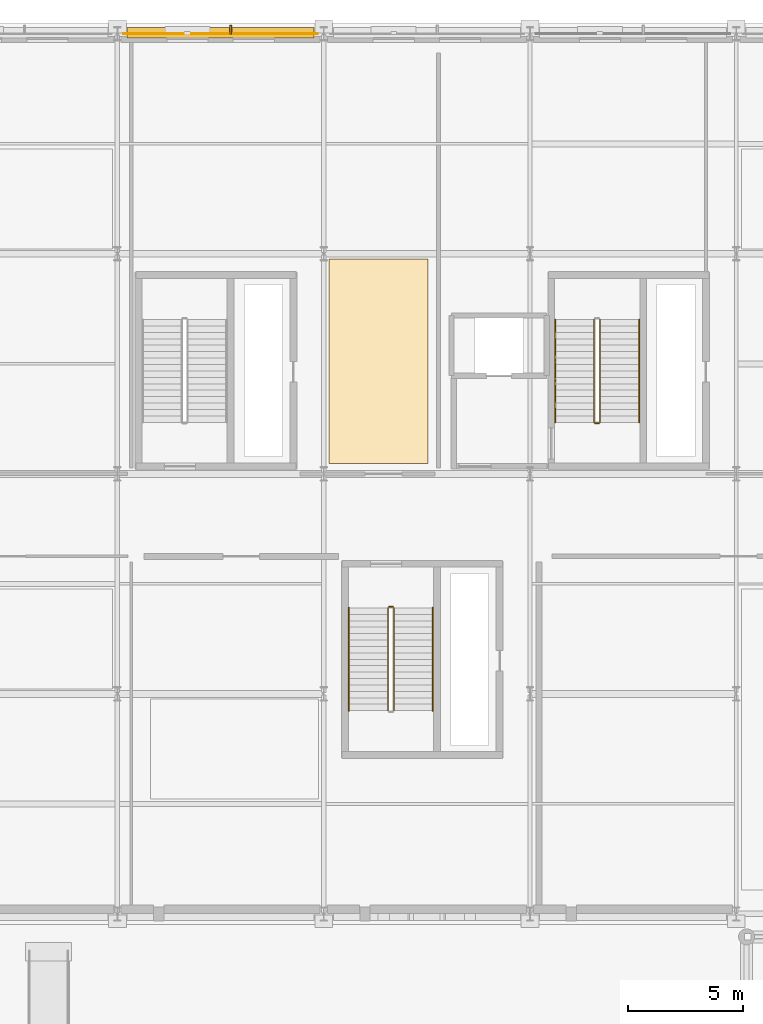
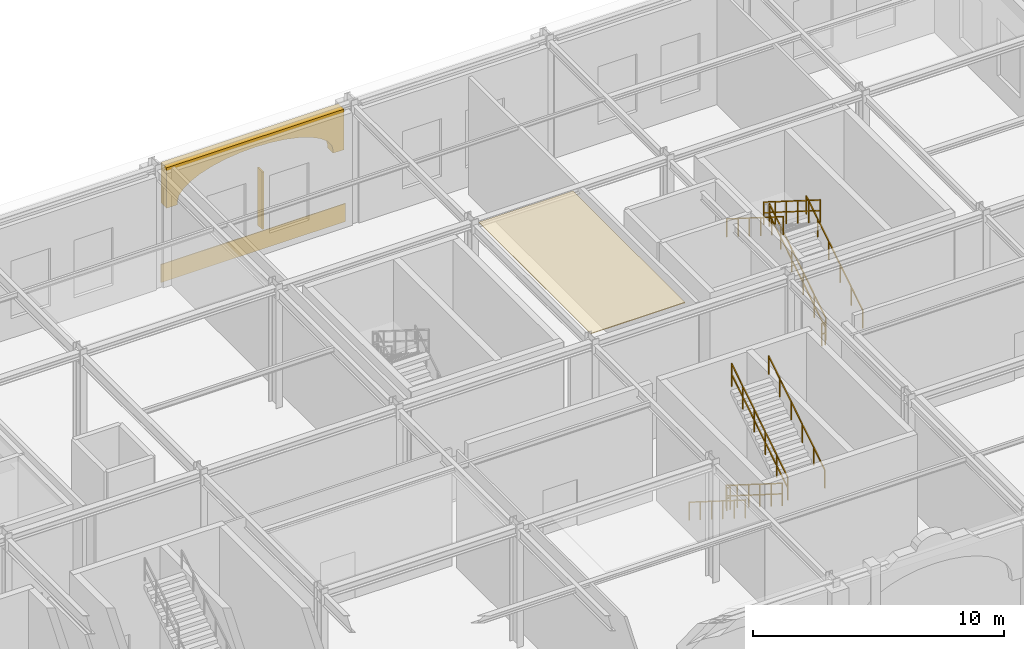
# One storey, part 111 of 113: 10 railings, 3 coverings, 1 shading device.
"""IFC4 building model written with IfcOpenShell, lengths in metres."""

from ifc_helpers import new_model, si_unit, direction, frame, origin, origin_2d, place, context, subcontext, project, spatial, polyline, rectangle, outline, extrude, material, layer, layer_set, type_object, element, save


model = new_model("IFC4")

# Units and contexts
model_context = context("Model", 3, precision=1e-05, world=origin(), true_north=direction((0.0, 1.0)))
body_context = subcontext(model_context, "Body", "Model", "MODEL_VIEW")
ifc_project = project(units=[si_unit("LENGTHUNIT", "METRE"), si_unit("AREAUNIT", "SQUARE_METRE"), si_unit("VOLUMEUNIT", "CUBIC_METRE"), si_unit("PLANEANGLEUNIT", "RADIAN"), si_unit("MASSUNIT", "GRAM", prefix="KILO")], contexts=[model_context])

# Site, building, storey
site_placement = place(None, origin())
site = spatial("IfcSite", under=ifc_project, at=site_placement, CompositionType="ELEMENT")
building_placement = place(site_placement, origin())
building = spatial("IfcBuilding", under=site, at=building_placement, Name="Myrtia Square Station", CompositionType="ELEMENT")
storey_placement = place(building_placement, origin())
storey = spatial("IfcBuildingStorey", under=building, at=storey_placement, Name="L00", CompositionType="ELEMENT", Elevation=0.0)

# Coverings
ifc_material_1 = material(Name="Pentelic marble ashlar", Category="masonry")
ifc_layer_1 = layer(ifc_material_1, 0.4599609375, Name="Pentelic marble ashlar")
ifc_layer_set_1 = layer_set([ifc_layer_1], Name="Pentelic marble ashlar")
covering_type_1 = type_object("IfcCoveringType", Name="COV-ARCH-ASHLAR", PredefinedType="CLADDING", material=ifc_layer_set_1)
covering_1_placement = place(storey_placement, frame((153.419921875, 124.85009765625, 3.64990234375), z_axis=(0.0, 0.0, 1.0), x_axis=(1.0, 0.0, 0.0)))
element("IfcCovering", 1, at=covering_1_placement, inside=storey, type_object=covering_type_1, Name="North boulevard facade arch spandrel 036", PredefinedType="CLADDING", context=body_context, shape_type="SweptSolid", body=[
    extrude(outline(polyline([(0.0, 0.0), (0.5, 0.0), (0.5, 0.150146484375), (0.56884765625, 0.42333984375), (0.7724609375, 0.685791015625), (1.103271484375, 0.927978515625), (1.548583984375, 1.14013671875), (2.091064453125, 1.314208984375), (2.7099609375, 1.443603515625), (3.381591796875, 1.523193359375), (4.080078125, 1.550048828125), (4.778564453125, 1.523193359375), (5.4501953125, 1.443603515625), (6.069091796875, 1.314208984375), (6.611572265625, 1.14013671875), (7.056884765625, 0.927978515625), (7.3876953125, 0.685791015625), (7.59130859375, 0.42333984375), (7.66015625, 0.150146484375), (7.66015625, 0.0), (8.16015625, 0.0), (8.16015625, 1.97021484375), (0.0, 1.97021484375), (0.0, 0.0)])), frame((0.0, 0.22998046875, 0.0), z_axis=(0.0, -1.0, 0.0), x_axis=(1.0, 0.0, 0.0)), (0.0, 0.0, 1.0), 0.4599609375),
])
ifc_material_2 = material(Name="Gypsum plasterboard")
ifc_layer_2 = layer(ifc_material_2, 0.034912109375, Name="Gypsum plasterboard")
ifc_layer_set_2 = layer_set([ifc_layer_2], Name="Gypsum plasterboard")
covering_type_2 = type_object("IfcCoveringType", Name="COV-CEIL-ACOUSTIC", PredefinedType="CEILING", material=ifc_layer_set_2)
covering_2_placement = place(storey_placement, frame((0.0, 0.0, 5.715087890625)))
element("IfcCovering", 2, at=covering_2_placement, inside=storey, type_object=covering_type_2, Name="Acoustic coffer ceiling L00-20", PredefinedType="CEILING", context=body_context, shape_type="SweptSolid", body=[
    extrude(outline(polyline([(166.550048828125, 106.050048828125), (162.219970703125, 106.050048828125), (162.219970703125, 114.97998046875), (166.550048828125, 114.97998046875), (166.550048828125, 106.050048828125)])), origin(), (0.0, 0.0, 1.0), 0.034912109375),
])
ifc_material_3 = material(Name="Polychrome glazed ceramic tile", Category="masonry")
ifc_layer_3 = layer(ifc_material_3, 0.034912109375, Name="Polychrome glazed ceramic tile")
ifc_layer_set_3 = layer_set([ifc_layer_3], Name="Polychrome glazed ceramic tile")
covering_type_3 = type_object("IfcCoveringType", Name="COV-CLAD-FAIENCE", PredefinedType="CLADDING", material=ifc_layer_set_3)
covering_3_placement = place(storey_placement, frame((157.5, 124.797607421875, 0.0), z_axis=(0.0, 0.0, 1.0), x_axis=(1.0, 0.0, 0.0)))
element("IfcCovering", 3, at=covering_3_placement, inside=storey, type_object=covering_type_3, Name="Spanish Colonial Revival dado cladding 022", PredefinedType="CLADDING", context=body_context, shape_type="SweptSolid", body=[
    extrude(rectangle(XDim=8.489990234375, YDim=0.034912109375, at=origin_2d()), origin(), (0.0, 0.0, 1.0), 0.8798828125),
])

# Railings
ifc_material_4 = material(Name="Dark bronze anodised aluminium", Category="aluminium")
railing_type_1 = type_object("IfcRailingType", Name="RL-HANDRAIL-900", PredefinedType="HANDRAIL", material=ifc_material_4)
railing_1_placement = place(storey_placement, frame((175.760009765625, 107.85009765625, 0.176513671875)))
element("IfcRailing", 4, at=railing_1_placement, inside=storey, type_object=railing_type_1, Name="L00 ST08 stair handrail 1", PredefinedType="HANDRAIL", context=body_context, shape_type="SweptSolid", body=[
    extrude(rectangle(XDim=0.048095703125, YDim=0.048095703125, at=origin_2d()), frame((0.0, 0.029296875, 0.894287109375), z_axis=(0.0, 0.845997938375, 0.533186166611), x_axis=(-1.0, 0.0, 0.0)), (0.0, 0.0, 1.0), 0.98974609375),
    extrude(rectangle(XDim=0.048095703125, YDim=0.048095703125, at=origin_2d()), frame((0.0, 0.92529296875, 1.458984375), z_axis=(0.0, 0.845997938375, 0.533186166611), x_axis=(-1.0, 0.0, 0.0)), (0.0, 0.0, 1.0), 0.98974609375),
    extrude(rectangle(XDim=0.048095703125, YDim=0.048095703125, at=origin_2d()), frame((0.0, 1.8212890625, 2.023681640625), z_axis=(0.0, 0.845997938375, 0.533186166611), x_axis=(-1.0, 0.0, 0.0)), (0.0, 0.0, 1.0), 0.98974609375),
    extrude(rectangle(XDim=0.048095703125, YDim=0.048095703125, at=origin_2d()), frame((0.0, 2.71728515625, 2.58837890625), z_axis=(0.0, 0.845997938375, 0.533186166611), x_axis=(-1.0, 0.0, 0.0)), (0.0, 0.0, 1.0), 0.98974609375),
    extrude(rectangle(XDim=0.048095703125, YDim=0.048095703125, at=origin_2d()), frame((0.0, 3.61328125, 3.153076171875), z_axis=(0.0, 0.845997938375, 0.533186166611), x_axis=(-1.0, 0.0, 0.0)), (0.0, 0.0, 1.0), 0.98974609375),
    extrude(rectangle(XDim=0.0439453125, YDim=0.0439453125, at=origin_2d()), origin(), (0.0, 0.0, 1.0), 0.89990234375),
    extrude(rectangle(XDim=0.0439453125, YDim=0.0439453125, at=origin_2d()), frame((0.0, 0.89599609375, 0.564697265625)), (0.0, 0.0, 1.0), 0.89990234375),
    extrude(rectangle(XDim=0.0439453125, YDim=0.0439453125, at=origin_2d()), frame((0.0, 1.7919921875, 1.12939453125)), (0.0, 0.0, 1.0), 0.89990234375),
    extrude(rectangle(XDim=0.0439453125, YDim=0.0439453125, at=origin_2d()), frame((0.0, 2.68798828125, 1.694091796875)), (0.0, 0.0, 1.0), 0.89990234375),
    extrude(rectangle(XDim=0.0439453125, YDim=0.0439453125, at=origin_2d()), frame((0.0, 3.583984375, 2.2587890625)), (0.0, 0.0, 1.0), 0.89990234375),
    extrude(rectangle(XDim=0.0439453125, YDim=0.0439453125, at=origin_2d()), frame((0.0, 4.47998046875, 2.823486328125)), (0.0, 0.0, 1.0), 0.89990234375),
])
railing_2_placement = place(storey_placement, frame((172.10009765625, 112.330078125, 3.176513671875)))
element("IfcRailing", 5, at=railing_2_placement, inside=storey, type_object=railing_type_1, Name="L00 ST08 stair handrail 2", PredefinedType="HANDRAIL", context=body_context, shape_type="SweptSolid", body=[
    extrude(rectangle(XDim=0.048095703125, YDim=0.048095703125, at=origin_2d()), frame((0.0, -0.029296875, 0.894287109375), z_axis=(0.0, -0.845997938375, 0.533186166611), x_axis=(1.0, 0.0, 0.0)), (0.0, 0.0, 1.0), 0.98974609375),
    extrude(rectangle(XDim=0.048095703125, YDim=0.048095703125, at=origin_2d()), frame((0.0, -0.92529296875, 1.458984375), z_axis=(0.0, -0.845997938375, 0.533186166611), x_axis=(1.0, 0.0, 0.0)), (0.0, 0.0, 1.0), 0.98974609375),
    extrude(rectangle(XDim=0.048095703125, YDim=0.048095703125, at=origin_2d()), frame((0.0, -1.8212890625, 2.023681640625), z_axis=(0.0, -0.845997938375, 0.533186166611), x_axis=(1.0, 0.0, 0.0)), (0.0, 0.0, 1.0), 0.98974609375),
    extrude(rectangle(XDim=0.048095703125, YDim=0.048095703125, at=origin_2d()), frame((0.0, -2.71728515625, 2.58837890625), z_axis=(0.0, -0.845997938375, 0.533186166611), x_axis=(1.0, 0.0, 0.0)), (0.0, 0.0, 1.0), 0.98974609375),
    extrude(rectangle(XDim=0.048095703125, YDim=0.048095703125, at=origin_2d()), frame((0.0, -3.61328125, 3.153076171875), z_axis=(0.0, -0.845997938375, 0.533186166611), x_axis=(1.0, 0.0, 0.0)), (0.0, 0.0, 1.0), 0.98974609375),
    extrude(rectangle(XDim=0.0439453125, YDim=0.0439453125, at=origin_2d()), origin(), (0.0, 0.0, 1.0), 0.89990234375),
    extrude(rectangle(XDim=0.0439453125, YDim=0.0439453125, at=origin_2d()), frame((0.0, -0.89599609375, 0.564697265625)), (0.0, 0.0, 1.0), 0.89990234375),
    extrude(rectangle(XDim=0.0439453125, YDim=0.0439453125, at=origin_2d()), frame((0.0, -1.7919921875, 1.12939453125)), (0.0, 0.0, 1.0), 0.89990234375),
    extrude(rectangle(XDim=0.0439453125, YDim=0.0439453125, at=origin_2d()), frame((0.0, -2.68798828125, 1.694091796875)), (0.0, 0.0, 1.0), 0.89990234375),
    extrude(rectangle(XDim=0.0439453125, YDim=0.0439453125, at=origin_2d()), frame((0.0, -3.583984375, 2.2587890625)), (0.0, 0.0, 1.0), 0.89990234375),
    extrude(rectangle(XDim=0.0439453125, YDim=0.0439453125, at=origin_2d()), frame((0.0, -4.47998046875, 2.823486328125)), (0.0, 0.0, 1.0), 0.89990234375),
])
railing_3_placement = place(storey_placement, frame((163.10009765625, 99.75, 0.176513671875)))
element("IfcRailing", 6, at=railing_3_placement, inside=storey, type_object=railing_type_1, Name="L00 ST16 stair handrail 1", PredefinedType="HANDRAIL", context=body_context, shape_type="SweptSolid", body=[
    extrude(rectangle(XDim=0.048095703125, YDim=0.048095703125, at=origin_2d()), frame((0.0, -0.029296875, 0.894287109375), z_axis=(0.0, -0.845997938375, 0.533186166611), x_axis=(1.0, 0.0, 0.0)), (0.0, 0.0, 1.0), 0.98974609375),
    extrude(rectangle(XDim=0.048095703125, YDim=0.048095703125, at=origin_2d()), frame((0.0, -0.92529296875, 1.458984375), z_axis=(0.0, -0.845997938375, 0.533186166611), x_axis=(1.0, 0.0, 0.0)), (0.0, 0.0, 1.0), 0.98974609375),
    extrude(rectangle(XDim=0.048095703125, YDim=0.048095703125, at=origin_2d()), frame((0.0, -1.8212890625, 2.023681640625), z_axis=(0.0, -0.845997938375, 0.533186166611), x_axis=(1.0, 0.0, 0.0)), (0.0, 0.0, 1.0), 0.98974609375),
    extrude(rectangle(XDim=0.048095703125, YDim=0.048095703125, at=origin_2d()), frame((0.0, -2.71728515625, 2.58837890625), z_axis=(0.0, -0.845997938375, 0.533186166611), x_axis=(1.0, 0.0, 0.0)), (0.0, 0.0, 1.0), 0.98974609375),
    extrude(rectangle(XDim=0.048095703125, YDim=0.048095703125, at=origin_2d()), frame((0.0, -3.61328125, 3.153076171875), z_axis=(0.0, -0.845997938375, 0.533186166611), x_axis=(1.0, 0.0, 0.0)), (0.0, 0.0, 1.0), 0.98974609375),
    extrude(rectangle(XDim=0.0439453125, YDim=0.0439453125, at=origin_2d()), origin(), (0.0, 0.0, 1.0), 0.89990234375),
    extrude(rectangle(XDim=0.0439453125, YDim=0.0439453125, at=origin_2d()), frame((0.0, -0.89599609375, 0.564697265625)), (0.0, 0.0, 1.0), 0.89990234375),
    extrude(rectangle(XDim=0.0439453125, YDim=0.0439453125, at=origin_2d()), frame((0.0, -1.7919921875, 1.12939453125)), (0.0, 0.0, 1.0), 0.89990234375),
    extrude(rectangle(XDim=0.0439453125, YDim=0.0439453125, at=origin_2d()), frame((0.0, -2.68798828125, 1.694091796875)), (0.0, 0.0, 1.0), 0.89990234375),
    extrude(rectangle(XDim=0.0439453125, YDim=0.0439453125, at=origin_2d()), frame((0.0, -3.583984375, 2.2587890625)), (0.0, 0.0, 1.0), 0.89990234375),
    extrude(rectangle(XDim=0.0439453125, YDim=0.0439453125, at=origin_2d()), frame((0.0, -4.47998046875, 2.823486328125)), (0.0, 0.0, 1.0), 0.89990234375),
])
railing_4_placement = place(storey_placement, frame((166.760009765625, 95.27001953125, 3.176513671875)))
element("IfcRailing", 7, at=railing_4_placement, inside=storey, type_object=railing_type_1, Name="L00 ST16 stair handrail 2", PredefinedType="HANDRAIL", context=body_context, shape_type="SweptSolid", body=[
    extrude(rectangle(XDim=0.048095703125, YDim=0.048095703125, at=origin_2d()), frame((0.0, 0.029296875, 0.894287109375), z_axis=(0.0, 0.845997938375, 0.533186166611), x_axis=(-1.0, 0.0, 0.0)), (0.0, 0.0, 1.0), 0.98974609375),
    extrude(rectangle(XDim=0.048095703125, YDim=0.048095703125, at=origin_2d()), frame((0.0, 0.92529296875, 1.458984375), z_axis=(0.0, 0.845997938375, 0.533186166611), x_axis=(-1.0, 0.0, 0.0)), (0.0, 0.0, 1.0), 0.98974609375),
    extrude(rectangle(XDim=0.048095703125, YDim=0.048095703125, at=origin_2d()), frame((0.0, 1.8212890625, 2.023681640625), z_axis=(0.0, 0.845997938375, 0.533186166611), x_axis=(-1.0, 0.0, 0.0)), (0.0, 0.0, 1.0), 0.98974609375),
    extrude(rectangle(XDim=0.048095703125, YDim=0.048095703125, at=origin_2d()), frame((0.0, 2.71728515625, 2.58837890625), z_axis=(0.0, 0.845997938375, 0.533186166611), x_axis=(-1.0, 0.0, 0.0)), (0.0, 0.0, 1.0), 0.98974609375),
    extrude(rectangle(XDim=0.048095703125, YDim=0.048095703125, at=origin_2d()), frame((0.0, 3.61328125, 3.153076171875), z_axis=(0.0, 0.845997938375, 0.533186166611), x_axis=(-1.0, 0.0, 0.0)), (0.0, 0.0, 1.0), 0.98974609375),
    extrude(rectangle(XDim=0.0439453125, YDim=0.0439453125, at=origin_2d()), origin(), (0.0, 0.0, 1.0), 0.89990234375),
    extrude(rectangle(XDim=0.0439453125, YDim=0.0439453125, at=origin_2d()), frame((0.0, 0.89599609375, 0.564697265625)), (0.0, 0.0, 1.0), 0.89990234375),
    extrude(rectangle(XDim=0.0439453125, YDim=0.0439453125, at=origin_2d()), frame((0.0, 1.7919921875, 1.12939453125)), (0.0, 0.0, 1.0), 0.89990234375),
    extrude(rectangle(XDim=0.0439453125, YDim=0.0439453125, at=origin_2d()), frame((0.0, 2.68798828125, 1.694091796875)), (0.0, 0.0, 1.0), 0.89990234375),
    extrude(rectangle(XDim=0.0439453125, YDim=0.0439453125, at=origin_2d()), frame((0.0, 3.583984375, 2.2587890625)), (0.0, 0.0, 1.0), 0.89990234375),
    extrude(rectangle(XDim=0.0439453125, YDim=0.0439453125, at=origin_2d()), frame((0.0, 4.47998046875, 2.823486328125)), (0.0, 0.0, 1.0), 0.89990234375),
])
ifc_material_5 = material(Name="Wrought iron", Category="steel")
railing_type_2 = type_object("IfcRailingType", Name="RL-INT-GUARD-1100", PredefinedType="BALUSTRADE", material=ifc_material_5)
railing_5_placement = place(storey_placement, frame((174.06005859375, 107.85009765625, 0.176513671875)))
element("IfcRailing", 8, at=railing_5_placement, inside=storey, type_object=railing_type_2, Name="L00 ST08 stair guard 1", PredefinedType="BALUSTRADE", context=body_context, shape_type="SweptSolid", body=[
    extrude(rectangle(XDim=0.048095703125, YDim=0.048095703125, at=origin_2d()), frame((0.0, 0.029296875, 1.114501953125), z_axis=(0.0, 0.845997938375, 0.533186166611), x_axis=(-1.0, 0.0, 0.0)), (0.0, 0.0, 1.0), 0.98974609375),
    extrude(rectangle(XDim=0.048095703125, YDim=0.048095703125, at=origin_2d()), frame((0.0, 0.029296875, 0.600830078125), z_axis=(0.0, 0.845997938375, 0.533186166611), x_axis=(-1.0, 0.0, 0.0)), (0.0, 0.0, 1.0), 0.98974609375),
    extrude(rectangle(XDim=0.048095703125, YDim=0.048095703125, at=origin_2d()), frame((0.0, 0.92529296875, 1.67919921875), z_axis=(0.0, 0.845997938375, 0.533186166611), x_axis=(-1.0, 0.0, 0.0)), (0.0, 0.0, 1.0), 0.98974609375),
    extrude(rectangle(XDim=0.048095703125, YDim=0.048095703125, at=origin_2d()), frame((0.0, 0.92529296875, 1.16552734375), z_axis=(0.0, 0.845997938375, 0.533186166611), x_axis=(-1.0, 0.0, 0.0)), (0.0, 0.0, 1.0), 0.98974609375),
    extrude(rectangle(XDim=0.048095703125, YDim=0.048095703125, at=origin_2d()), frame((0.0, 1.8212890625, 2.243896484375), z_axis=(0.0, 0.845997938375, 0.533186166611), x_axis=(-1.0, 0.0, 0.0)), (0.0, 0.0, 1.0), 0.98974609375),
    extrude(rectangle(XDim=0.048095703125, YDim=0.048095703125, at=origin_2d()), frame((0.0, 1.8212890625, 1.730224609375), z_axis=(0.0, 0.845997938375, 0.533186166611), x_axis=(-1.0, 0.0, 0.0)), (0.0, 0.0, 1.0), 0.98974609375),
    extrude(rectangle(XDim=0.048095703125, YDim=0.048095703125, at=origin_2d()), frame((0.0, 2.71728515625, 2.80859375), z_axis=(0.0, 0.845997938375, 0.533186166611), x_axis=(-1.0, 0.0, 0.0)), (0.0, 0.0, 1.0), 0.98974609375),
    extrude(rectangle(XDim=0.048095703125, YDim=0.048095703125, at=origin_2d()), frame((0.0, 2.71728515625, 2.294921875), z_axis=(0.0, 0.845997938375, 0.533186166611), x_axis=(-1.0, 0.0, 0.0)), (0.0, 0.0, 1.0), 0.98974609375),
    extrude(rectangle(XDim=0.048095703125, YDim=0.048095703125, at=origin_2d()), frame((0.0, 3.61328125, 3.373291015625), z_axis=(0.0, 0.845997938375, 0.533186166611), x_axis=(-1.0, 0.0, 0.0)), (0.0, 0.0, 1.0), 0.98974609375),
    extrude(rectangle(XDim=0.048095703125, YDim=0.048095703125, at=origin_2d()), frame((0.0, 3.61328125, 2.859619140625), z_axis=(0.0, 0.845997938375, 0.533186166611), x_axis=(-1.0, 0.0, 0.0)), (0.0, 0.0, 1.0), 0.98974609375),
    extrude(rectangle(XDim=0.0439453125, YDim=0.0439453125, at=origin_2d()), origin(), (0.0, 0.0, 1.0), 1.1201171875),
    extrude(rectangle(XDim=0.0439453125, YDim=0.0439453125, at=origin_2d()), frame((0.0, 0.89599609375, 0.564697265625)), (0.0, 0.0, 1.0), 1.1201171875),
    extrude(rectangle(XDim=0.0439453125, YDim=0.0439453125, at=origin_2d()), frame((0.0, 1.7919921875, 1.12939453125)), (0.0, 0.0, 1.0), 1.1201171875),
    extrude(rectangle(XDim=0.0439453125, YDim=0.0439453125, at=origin_2d()), frame((0.0, 2.68798828125, 1.694091796875)), (0.0, 0.0, 1.0), 1.1201171875),
    extrude(rectangle(XDim=0.0439453125, YDim=0.0439453125, at=origin_2d()), frame((0.0, 3.583984375, 2.2587890625)), (0.0, 0.0, 1.0), 1.1201171875),
    extrude(rectangle(XDim=0.0439453125, YDim=0.0439453125, at=origin_2d()), frame((0.0, 4.47998046875, 2.823486328125)), (0.0, 0.0, 1.0), 1.1201171875),
])
railing_6_placement = place(storey_placement, frame((173.800048828125, 112.330078125, 3.176513671875)))
element("IfcRailing", 9, at=railing_6_placement, inside=storey, type_object=railing_type_2, Name="L00 ST08 stair guard 3", PredefinedType="BALUSTRADE", context=body_context, shape_type="SweptSolid", body=[
    extrude(rectangle(XDim=0.048095703125, YDim=0.048095703125, at=origin_2d()), frame((0.0, -0.029296875, 1.114501953125), z_axis=(0.0, -0.845997938375, 0.533186166611), x_axis=(1.0, 0.0, 0.0)), (0.0, 0.0, 1.0), 0.98974609375),
    extrude(rectangle(XDim=0.048095703125, YDim=0.048095703125, at=origin_2d()), frame((0.0, -0.029296875, 0.600830078125), z_axis=(0.0, -0.845997938375, 0.533186166611), x_axis=(1.0, 0.0, 0.0)), (0.0, 0.0, 1.0), 0.98974609375),
    extrude(rectangle(XDim=0.048095703125, YDim=0.048095703125, at=origin_2d()), frame((0.0, -0.92529296875, 1.67919921875), z_axis=(0.0, -0.845997938375, 0.533186166611), x_axis=(1.0, 0.0, 0.0)), (0.0, 0.0, 1.0), 0.98974609375),
    extrude(rectangle(XDim=0.048095703125, YDim=0.048095703125, at=origin_2d()), frame((0.0, -0.92529296875, 1.16552734375), z_axis=(0.0, -0.845997938375, 0.533186166611), x_axis=(1.0, 0.0, 0.0)), (0.0, 0.0, 1.0), 0.98974609375),
    extrude(rectangle(XDim=0.048095703125, YDim=0.048095703125, at=origin_2d()), frame((0.0, -1.8212890625, 2.243896484375), z_axis=(0.0, -0.845997938375, 0.533186166611), x_axis=(1.0, 0.0, 0.0)), (0.0, 0.0, 1.0), 0.98974609375),
    extrude(rectangle(XDim=0.048095703125, YDim=0.048095703125, at=origin_2d()), frame((0.0, -1.8212890625, 1.730224609375), z_axis=(0.0, -0.845997938375, 0.533186166611), x_axis=(1.0, 0.0, 0.0)), (0.0, 0.0, 1.0), 0.98974609375),
    extrude(rectangle(XDim=0.048095703125, YDim=0.048095703125, at=origin_2d()), frame((0.0, -2.71728515625, 2.80859375), z_axis=(0.0, -0.845997938375, 0.533186166611), x_axis=(1.0, 0.0, 0.0)), (0.0, 0.0, 1.0), 0.98974609375),
    extrude(rectangle(XDim=0.048095703125, YDim=0.048095703125, at=origin_2d()), frame((0.0, -2.71728515625, 2.294921875), z_axis=(0.0, -0.845997938375, 0.533186166611), x_axis=(1.0, 0.0, 0.0)), (0.0, 0.0, 1.0), 0.98974609375),
    extrude(rectangle(XDim=0.048095703125, YDim=0.048095703125, at=origin_2d()), frame((0.0, -3.61328125, 3.373291015625), z_axis=(0.0, -0.845997938375, 0.533186166611), x_axis=(1.0, 0.0, 0.0)), (0.0, 0.0, 1.0), 0.98974609375),
    extrude(rectangle(XDim=0.048095703125, YDim=0.048095703125, at=origin_2d()), frame((0.0, -3.61328125, 2.859619140625), z_axis=(0.0, -0.845997938375, 0.533186166611), x_axis=(1.0, 0.0, 0.0)), (0.0, 0.0, 1.0), 0.98974609375),
    extrude(rectangle(XDim=0.0439453125, YDim=0.0439453125, at=origin_2d()), origin(), (0.0, 0.0, 1.0), 1.1201171875),
    extrude(rectangle(XDim=0.0439453125, YDim=0.0439453125, at=origin_2d()), frame((0.0, -0.89599609375, 0.564697265625)), (0.0, 0.0, 1.0), 1.1201171875),
    extrude(rectangle(XDim=0.0439453125, YDim=0.0439453125, at=origin_2d()), frame((0.0, -1.7919921875, 1.12939453125)), (0.0, 0.0, 1.0), 1.1201171875),
    extrude(rectangle(XDim=0.0439453125, YDim=0.0439453125, at=origin_2d()), frame((0.0, -2.68798828125, 1.694091796875)), (0.0, 0.0, 1.0), 1.1201171875),
    extrude(rectangle(XDim=0.0439453125, YDim=0.0439453125, at=origin_2d()), frame((0.0, -3.583984375, 2.2587890625)), (0.0, 0.0, 1.0), 1.1201171875),
    extrude(rectangle(XDim=0.0439453125, YDim=0.0439453125, at=origin_2d()), frame((0.0, -4.47998046875, 2.823486328125)), (0.0, 0.0, 1.0), 1.1201171875),
])
railing_7_placement = place(storey_placement, frame((174.010009765625, 107.800048828125, 0.0)))
element("IfcRailing", 10, at=railing_7_placement, inside=storey, type_object=railing_type_2, Name="L00 ST08 stair guard 4", PredefinedType="BALUSTRADE", context=body_context, shape_type="SweptSolid", body=[
    extrude(rectangle(XDim=0.048095703125, YDim=0.048095703125, at=origin_2d()), frame((-0.03466796875, 0.0, 1.09619140625), z_axis=(-1.0, 0.0, 0.0), x_axis=(0.0, -1.0, 0.0)), (0.0, 0.0, 1.0), 0.090576171875),
    extrude(rectangle(XDim=0.048095703125, YDim=0.048095703125, at=origin_2d()), frame((-0.03466796875, 0.0, 0.58251953125), z_axis=(-1.0, 0.0, 0.0), x_axis=(0.0, -1.0, 0.0)), (0.0, 0.0, 1.0), 0.090576171875),
    extrude(rectangle(XDim=0.0439453125, YDim=0.0439453125, at=origin_2d()), origin(), (0.0, 0.0, 1.0), 1.1201171875),
    extrude(rectangle(XDim=0.0439453125, YDim=0.0439453125, at=origin_2d()), frame((-0.159912109375, 0.0, 0.0)), (0.0, 0.0, 1.0), 1.1201171875),
])
railing_8_placement = place(storey_placement, frame((164.800048828125, 99.75, 0.176513671875)))
element("IfcRailing", 11, at=railing_8_placement, inside=storey, type_object=railing_type_2, Name="L00 ST16 stair guard 1", PredefinedType="BALUSTRADE", context=body_context, shape_type="SweptSolid", body=[
    extrude(rectangle(XDim=0.048095703125, YDim=0.048095703125, at=origin_2d()), frame((0.0, -0.029296875, 1.114501953125), z_axis=(0.0, -0.845997938375, 0.533186166611), x_axis=(1.0, 0.0, 0.0)), (0.0, 0.0, 1.0), 0.98974609375),
    extrude(rectangle(XDim=0.048095703125, YDim=0.048095703125, at=origin_2d()), frame((0.0, -0.029296875, 0.600830078125), z_axis=(0.0, -0.845997938375, 0.533186166611), x_axis=(1.0, 0.0, 0.0)), (0.0, 0.0, 1.0), 0.98974609375),
    extrude(rectangle(XDim=0.048095703125, YDim=0.048095703125, at=origin_2d()), frame((0.0, -0.92529296875, 1.67919921875), z_axis=(0.0, -0.845997938375, 0.533186166611), x_axis=(1.0, 0.0, 0.0)), (0.0, 0.0, 1.0), 0.98974609375),
    extrude(rectangle(XDim=0.048095703125, YDim=0.048095703125, at=origin_2d()), frame((0.0, -0.92529296875, 1.16552734375), z_axis=(0.0, -0.845997938375, 0.533186166611), x_axis=(1.0, 0.0, 0.0)), (0.0, 0.0, 1.0), 0.98974609375),
    extrude(rectangle(XDim=0.048095703125, YDim=0.048095703125, at=origin_2d()), frame((0.0, -1.8212890625, 2.243896484375), z_axis=(0.0, -0.845997938375, 0.533186166611), x_axis=(1.0, 0.0, 0.0)), (0.0, 0.0, 1.0), 0.98974609375),
    extrude(rectangle(XDim=0.048095703125, YDim=0.048095703125, at=origin_2d()), frame((0.0, -1.8212890625, 1.730224609375), z_axis=(0.0, -0.845997938375, 0.533186166611), x_axis=(1.0, 0.0, 0.0)), (0.0, 0.0, 1.0), 0.98974609375),
    extrude(rectangle(XDim=0.048095703125, YDim=0.048095703125, at=origin_2d()), frame((0.0, -2.71728515625, 2.80859375), z_axis=(0.0, -0.845997938375, 0.533186166611), x_axis=(1.0, 0.0, 0.0)), (0.0, 0.0, 1.0), 0.98974609375),
    extrude(rectangle(XDim=0.048095703125, YDim=0.048095703125, at=origin_2d()), frame((0.0, -2.71728515625, 2.294921875), z_axis=(0.0, -0.845997938375, 0.533186166611), x_axis=(1.0, 0.0, 0.0)), (0.0, 0.0, 1.0), 0.98974609375),
    extrude(rectangle(XDim=0.048095703125, YDim=0.048095703125, at=origin_2d()), frame((0.0, -3.61328125, 3.373291015625), z_axis=(0.0, -0.845997938375, 0.533186166611), x_axis=(1.0, 0.0, 0.0)), (0.0, 0.0, 1.0), 0.98974609375),
    extrude(rectangle(XDim=0.048095703125, YDim=0.048095703125, at=origin_2d()), frame((0.0, -3.61328125, 2.859619140625), z_axis=(0.0, -0.845997938375, 0.533186166611), x_axis=(1.0, 0.0, 0.0)), (0.0, 0.0, 1.0), 0.98974609375),
    extrude(rectangle(XDim=0.0439453125, YDim=0.0439453125, at=origin_2d()), origin(), (0.0, 0.0, 1.0), 1.1201171875),
    extrude(rectangle(XDim=0.0439453125, YDim=0.0439453125, at=origin_2d()), frame((0.0, -0.89599609375, 0.564697265625)), (0.0, 0.0, 1.0), 1.1201171875),
    extrude(rectangle(XDim=0.0439453125, YDim=0.0439453125, at=origin_2d()), frame((0.0, -1.7919921875, 1.12939453125)), (0.0, 0.0, 1.0), 1.1201171875),
    extrude(rectangle(XDim=0.0439453125, YDim=0.0439453125, at=origin_2d()), frame((0.0, -2.68798828125, 1.694091796875)), (0.0, 0.0, 1.0), 1.1201171875),
    extrude(rectangle(XDim=0.0439453125, YDim=0.0439453125, at=origin_2d()), frame((0.0, -3.583984375, 2.2587890625)), (0.0, 0.0, 1.0), 1.1201171875),
    extrude(rectangle(XDim=0.0439453125, YDim=0.0439453125, at=origin_2d()), frame((0.0, -4.47998046875, 2.823486328125)), (0.0, 0.0, 1.0), 1.1201171875),
])
railing_9_placement = place(storey_placement, frame((165.06005859375, 95.27001953125, 3.176513671875)))
element("IfcRailing", 12, at=railing_9_placement, inside=storey, type_object=railing_type_2, Name="L00 ST16 stair guard 3", PredefinedType="BALUSTRADE", context=body_context, shape_type="SweptSolid", body=[
    extrude(rectangle(XDim=0.048095703125, YDim=0.048095703125, at=origin_2d()), frame((0.0, 0.029296875, 1.114501953125), z_axis=(0.0, 0.845997938375, 0.533186166611), x_axis=(-1.0, 0.0, 0.0)), (0.0, 0.0, 1.0), 0.98974609375),
    extrude(rectangle(XDim=0.048095703125, YDim=0.048095703125, at=origin_2d()), frame((0.0, 0.029296875, 0.600830078125), z_axis=(0.0, 0.845997938375, 0.533186166611), x_axis=(-1.0, 0.0, 0.0)), (0.0, 0.0, 1.0), 0.98974609375),
    extrude(rectangle(XDim=0.048095703125, YDim=0.048095703125, at=origin_2d()), frame((0.0, 0.92529296875, 1.67919921875), z_axis=(0.0, 0.845997938375, 0.533186166611), x_axis=(-1.0, 0.0, 0.0)), (0.0, 0.0, 1.0), 0.98974609375),
    extrude(rectangle(XDim=0.048095703125, YDim=0.048095703125, at=origin_2d()), frame((0.0, 0.92529296875, 1.16552734375), z_axis=(0.0, 0.845997938375, 0.533186166611), x_axis=(-1.0, 0.0, 0.0)), (0.0, 0.0, 1.0), 0.98974609375),
    extrude(rectangle(XDim=0.048095703125, YDim=0.048095703125, at=origin_2d()), frame((0.0, 1.8212890625, 2.243896484375), z_axis=(0.0, 0.845997938375, 0.533186166611), x_axis=(-1.0, 0.0, 0.0)), (0.0, 0.0, 1.0), 0.98974609375),
    extrude(rectangle(XDim=0.048095703125, YDim=0.048095703125, at=origin_2d()), frame((0.0, 1.8212890625, 1.730224609375), z_axis=(0.0, 0.845997938375, 0.533186166611), x_axis=(-1.0, 0.0, 0.0)), (0.0, 0.0, 1.0), 0.98974609375),
    extrude(rectangle(XDim=0.048095703125, YDim=0.048095703125, at=origin_2d()), frame((0.0, 2.71728515625, 2.80859375), z_axis=(0.0, 0.845997938375, 0.533186166611), x_axis=(-1.0, 0.0, 0.0)), (0.0, 0.0, 1.0), 0.98974609375),
    extrude(rectangle(XDim=0.048095703125, YDim=0.048095703125, at=origin_2d()), frame((0.0, 2.71728515625, 2.294921875), z_axis=(0.0, 0.845997938375, 0.533186166611), x_axis=(-1.0, 0.0, 0.0)), (0.0, 0.0, 1.0), 0.98974609375),
    extrude(rectangle(XDim=0.048095703125, YDim=0.048095703125, at=origin_2d()), frame((0.0, 3.61328125, 3.373291015625), z_axis=(0.0, 0.845997938375, 0.533186166611), x_axis=(-1.0, 0.0, 0.0)), (0.0, 0.0, 1.0), 0.98974609375),
    extrude(rectangle(XDim=0.048095703125, YDim=0.048095703125, at=origin_2d()), frame((0.0, 3.61328125, 2.859619140625), z_axis=(0.0, 0.845997938375, 0.533186166611), x_axis=(-1.0, 0.0, 0.0)), (0.0, 0.0, 1.0), 0.98974609375),
    extrude(rectangle(XDim=0.0439453125, YDim=0.0439453125, at=origin_2d()), origin(), (0.0, 0.0, 1.0), 1.1201171875),
    extrude(rectangle(XDim=0.0439453125, YDim=0.0439453125, at=origin_2d()), frame((0.0, 0.89599609375, 0.564697265625)), (0.0, 0.0, 1.0), 1.1201171875),
    extrude(rectangle(XDim=0.0439453125, YDim=0.0439453125, at=origin_2d()), frame((0.0, 1.7919921875, 1.12939453125)), (0.0, 0.0, 1.0), 1.1201171875),
    extrude(rectangle(XDim=0.0439453125, YDim=0.0439453125, at=origin_2d()), frame((0.0, 2.68798828125, 1.694091796875)), (0.0, 0.0, 1.0), 1.1201171875),
    extrude(rectangle(XDim=0.0439453125, YDim=0.0439453125, at=origin_2d()), frame((0.0, 3.583984375, 2.2587890625)), (0.0, 0.0, 1.0), 1.1201171875),
    extrude(rectangle(XDim=0.0439453125, YDim=0.0439453125, at=origin_2d()), frame((0.0, 4.47998046875, 2.823486328125)), (0.0, 0.0, 1.0), 1.1201171875),
])
railing_10_placement = place(storey_placement, frame((164.85009765625, 99.800048828125, 0.0)))
element("IfcRailing", 13, at=railing_10_placement, inside=storey, type_object=railing_type_2, Name="L00 ST16 stair guard 4", PredefinedType="BALUSTRADE", context=body_context, shape_type="SweptSolid", body=[
    extrude(rectangle(XDim=0.048095703125, YDim=0.048095703125, at=origin_2d()), frame((0.03466796875, 0.0, 1.09619140625), z_axis=(1.0, 0.0, 0.0), x_axis=(0.0, 1.0, 0.0)), (0.0, 0.0, 1.0), 0.090576171875),
    extrude(rectangle(XDim=0.048095703125, YDim=0.048095703125, at=origin_2d()), frame((0.03466796875, 0.0, 0.58251953125), z_axis=(1.0, 0.0, 0.0), x_axis=(0.0, 1.0, 0.0)), (0.0, 0.0, 1.0), 0.090576171875),
    extrude(rectangle(XDim=0.0439453125, YDim=0.0439453125, at=origin_2d()), origin(), (0.0, 0.0, 1.0), 1.1201171875),
    extrude(rectangle(XDim=0.0439453125, YDim=0.0439453125, at=origin_2d()), frame((0.159912109375, 0.0, 0.0)), (0.0, 0.0, 1.0), 1.1201171875),
])

# Shading device
shading_device_type = type_object("IfcShadingDeviceType", Name="SHD-FIN-BRONZE", PredefinedType="USERDEFINED", material=ifc_material_4)
shading_device_placement = place(storey_placement, frame((157.947998046875, 124.969970703125, 0.9501953125), z_axis=(0.0, 0.0, 1.0), x_axis=(1.0, 0.0, 0.0)))
element("IfcShadingDevice", 14, at=shading_device_placement, inside=storey, type_object=shading_device_type, Name="Vertical bronze solar fin SHF-035", ObjectType="FIN", PredefinedType="USERDEFINED", context=body_context, shape_type="SweptSolid", body=[
    extrude(rectangle(XDim=0.080078125, YDim=0.389892578125, at=origin_2d()), origin(), (0.0, 0.0, 1.0), 2.800048828125),
])

save(model, "model.ifc")
